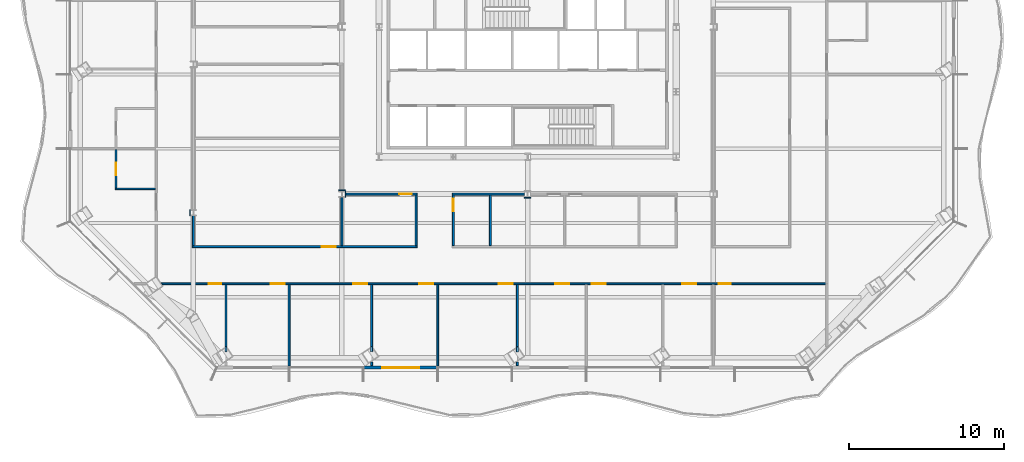
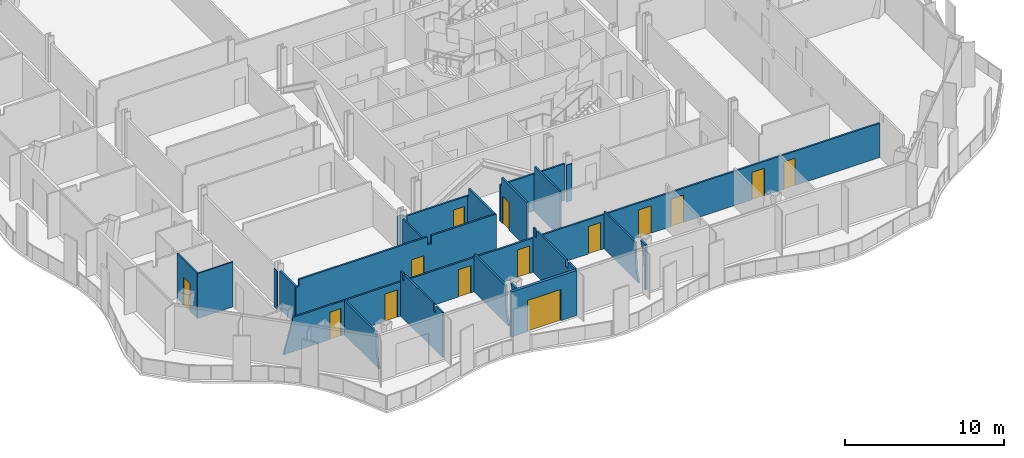
# One storey, part 7 of 21: 23 walls, 14 doors, 14 openings.
"""IFC4 building model written with IfcOpenShell, lengths in metres."""

from ifc_helpers import new_model, si_unit, direction, frame, frame_2d, origin, place, context, subcontext, project, spatial, polyline, rectangle, outline, extrude, material, layer, layer_set, type_object, element, fill, save


model = new_model("IFC4")

# Units and contexts
model_context = context("Model", 3, precision=1e-05, world=origin(), true_north=direction((0.0, 1.0)))
body_context = subcontext(model_context, "Body", "Model", "MODEL_VIEW")
ifc_project = project(units=[si_unit("LENGTHUNIT", "METRE"), si_unit("AREAUNIT", "SQUARE_METRE"), si_unit("VOLUMEUNIT", "CUBIC_METRE"), si_unit("PLANEANGLEUNIT", "RADIAN"), si_unit("MASSUNIT", "GRAM", prefix="KILO")], contexts=[model_context])

# Site, building, storey
site_placement = place(None, origin())
site = spatial("IfcSite", under=ifc_project, at=site_placement, CompositionType="ELEMENT")
building_placement = place(site_placement, origin())
building = spatial("IfcBuilding", under=site, at=building_placement, Name="Cairn Pilgrim Tower", CompositionType="ELEMENT")
storey_placement = place(building_placement, frame((0.0, 0.0, 108.60009765625)))
storey = spatial("IfcBuildingStorey", under=building, at=storey_placement, Name="L26", CompositionType="ELEMENT", Elevation=108.60009765625)

# Wall, opening, door
ifc_material_1 = material(Name="Bronze anodised aluminium insulated sandwich panel with mineral wool fill", Category="aluminium")
ifc_layer_1 = layer(ifc_material_1, 0.199951171875)
ifc_layer_set_1 = layer_set([ifc_layer_1], Name="BRONZE INFILL FRAME WALL 200")
wall_type_1 = type_object("IfcWallType", Name="BRONZE INFILL FRAME WALL 200", PredefinedType="NOTDEFINED", material=ifc_layer_set_1)
wall_1_placement = place(storey_placement, frame((-3.37841796875, -19.622314453125, 0.0), z_axis=(0.0, 0.0, 1.0), x_axis=(1.0, 0.0, 0.0)))
wall_1 = element("IfcWall", 1, at=wall_1_placement, inside=storey, type_object=wall_type_1, Name="Bronze infill frame wall IW-S3", PredefinedType="NOTDEFINED", context=body_context, shape_type="SweptSolid", body=[
    extrude(rectangle(XDim=4.739990234375, YDim=0.199951171875, at=frame_2d((2.3701171875, 0.0))), origin(), (0.0, 0.0, 1.0), 3.449951171875),
])
opening_1_placement = place(wall_1_placement, frame((1.17041015625, 0.0, 0.0)))
opening_1 = element("IfcOpeningElement", 2, at=opening_1_placement, cuts=wall_1, Name="Opening 2604B", PredefinedType="OPENING", context=body_context, shape_type="SweptSolid", body=[
    extrude(rectangle(XDim=2.39990234375, YDim=2.39990234375, at=frame_2d((1.199951171875, 1.199951171875))), frame((0.0, 0.10986328125, 0.0), z_axis=(0.0, -1.0, 0.0), x_axis=(1.0, 0.0, 0.0)), (0.0, 0.0, 1.0), 0.219970703125),
])
ifc_material_2 = material(Name="Bronze anodised aluminium frame with tinted low-E glass", Category="aluminium")
door_type_1 = type_object("IfcDoorType", Name="BALCONY SLIDING DOOR 2400x2400", OperationType="DOUBLE_DOOR_SLIDING", PredefinedType="DOOR", material=ifc_material_2)
door_1_placement = place(opening_1_placement, origin())
door_1 = element("IfcDoor", 3, at=door_1_placement, inside=storey, type_object=door_type_1, Name="Balcony sliding door 2604B", OperationType="SINGLE_SWING_LEFT", OverallHeight=2.39990234375, OverallWidth=2.39990234375, PredefinedType="DOOR", context=body_context, shape_type="SweptSolid", body=[
    extrude(rectangle(XDim=2.39990234375, YDim=2.39990234375, at=frame_2d((1.199951171875, 1.199951171875))), frame((0.0, 0.02490234375, 0.0), z_axis=(0.0, -1.0, 0.0), x_axis=(1.0, 0.0, 0.0)), (0.0, 0.0, 1.0), 0.050048828125),
])
fill(opening_1, door_1)

# Wall
ifc_material_3 = material(Name="Gypsum partition")
ifc_layer_2 = layer(ifc_material_3, 0.10009765625)
ifc_layer_set_2 = layer_set([ifc_layer_2], Name="PARTITION 100 DRYWALL")
wall_type_2 = type_object("IfcWallType", Name="PARTITION 100 DRYWALL", PredefinedType="PARTITIONING", material=ifc_layer_set_2)
wall_2_placement = place(storey_placement, frame((-19.449951171875, -8.072021484375, 0.0), z_axis=(0.0, 0.0, 1.0), x_axis=(1.0, 0.0, 0.0)))
element("IfcWall", 4, at=wall_2_placement, inside=storey, type_object=wall_type_2, Name="PARTITION W037", PredefinedType="PARTITIONING", context=body_context, shape_type="SweptSolid", body=[
    extrude(rectangle(XDim=2.58740234375, YDim=0.10009765625, at=frame_2d((1.293701171875, 0.0))), origin(), (0.0, 0.0, 1.0), 3.449951171875),
])

# Wall, opening, door
wall_3_placement = place(storey_placement, frame((-19.39990234375, -8.02197265625, 0.0), z_axis=(0.0, 0.0, 1.0), x_axis=(0.0, 1.0, 0.0)))
wall_3 = element("IfcWall", 5, at=wall_3_placement, inside=storey, type_object=wall_type_2, Name="PARTITION W038", PredefinedType="PARTITIONING", context=body_context, shape_type="SweptSolid", body=[
    extrude(rectangle(XDim=2.487548828125, YDim=0.10009765625, at=frame_2d((1.24365234375, 0.0))), origin(), (0.0, 0.0, 1.0), 3.449951171875),
])
opening_2_placement = place(wall_3_placement, frame((0.85009765625, 0.0, 0.0)))
opening_2 = element("IfcOpeningElement", 6, at=opening_2_placement, cuts=wall_3, Name="Opening 2609E", PredefinedType="OPENING", context=body_context, shape_type="SweptSolid", body=[
    extrude(rectangle(XDim=0.800048828125, YDim=2.10009765625, at=frame_2d((0.39990234375, 1.050048828125))), frame((0.0, 0.06005859375, 0.0), z_axis=(0.0, -1.0, 0.0), x_axis=(1.0, 0.0, 0.0)), (0.0, 0.0, 1.0), 0.1201171875),
])
ifc_material_4 = material(Name="Timber door leaf", Category="wood")
door_type_2 = type_object("IfcDoorType", Name="DOOR 800x2100", OperationType="NOTDEFINED", PredefinedType="DOOR", material=ifc_material_4)
door_2_placement = place(opening_2_placement, frame((0.800048828125, 0.0, 0.0), z_axis=(0.0, 0.0, 1.0), x_axis=(-1.0, 0.0, 0.0)))
door_2 = element("IfcDoor", 7, at=door_2_placement, inside=storey, type_object=door_type_2, Name="DOOR 2609E", OperationType="SINGLE_SWING_LEFT", OverallHeight=2.10009765625, OverallWidth=0.800048828125, PredefinedType="DOOR", context=body_context, shape_type="SweptSolid", body=[
    extrude(rectangle(XDim=0.800048828125, YDim=2.10009765625, at=frame_2d((0.39990234375, 1.050048828125))), frame((0.0, 0.02490234375, 0.0), z_axis=(0.0, -1.0, 0.0), x_axis=(1.0, 0.0, 0.0)), (0.0, 0.0, 1.0), 0.050048828125),
])
fill(opening_2, door_2)

# Walls
ifc_layer_3 = layer(ifc_material_3, 0.125)
ifc_layer_set_3 = layer_set([ifc_layer_3], Name="PARTITION 125 DRYWALL EI 60")
wall_type_3 = type_object("IfcWallType", Name="PARTITION 125 DRYWALL EI 60", PredefinedType="PARTITIONING", material=ifc_layer_set_3)
wall_4_placement = place(storey_placement, frame((-8.2080078125, -19.522216796875, 0.0), z_axis=(0.0, 0.0, 1.0), x_axis=(0.0, 1.0, 0.0)))
element("IfcWall", 8, at=wall_4_placement, inside=storey, type_object=wall_type_3, Name="PARTITION W002", PredefinedType="PARTITIONING", context=body_context, shape_type="SweptSolid", body=[
    extrude(outline(polyline([(0.0, 0.0), (5.259765625, 0.0), (5.259765625, 3.449951171875), (5.008544921875, 3.449951171875), (5.006591796875, 2.929931640625), (4.80859375, 2.929931640625), (4.806640625, 3.449951171875), (1.15869140625, 3.449951171875), (1.156494140625, 2.929931640625), (0.858642578125, 2.929931640625), (0.856689453125, 3.449951171875), (0.0, 3.449951171875), (0.0, 0.0)])), frame((0.0, 0.0625, 0.0), z_axis=(0.0, -1.0, 0.0), x_axis=(1.0, 0.0, 0.0)), (0.0, 0.0, 1.0), 0.125),
])
wall_5_placement = place(storey_placement, frame((-2.8779296875, -19.4921875, 0.0), z_axis=(0.0, 0.0, 1.0), x_axis=(0.0, 1.0, 0.0)))
element("IfcWall", 9, at=wall_5_placement, inside=storey, type_object=wall_type_3, Name="PARTITION W003", PredefinedType="PARTITIONING", context=body_context, shape_type="SweptSolid", body=[
    extrude(outline(polyline([(0.0, 0.0), (0.226806640625, 0.0), (0.226806640625, 0.8623046875), (0.226806640625, 1.724853515625), (0.30810546875, 2.58740234375), (0.660888671875, 3.449951171875), (0.0, 3.449951171875), (0.0, 2.58740234375), (0.0, 1.724853515625), (0.0, 0.8623046875), (0.0, 0.0)])), frame((0.0, 0.0625, 0.0), z_axis=(0.0, -1.0, 0.0), x_axis=(1.0, 0.0, 0.0)), (0.0, 0.0, 1.0), 0.125),
])
wall_6_placement = place(storey_placement, frame((1.39208984375, -19.522216796875, 0.0), z_axis=(0.0, 0.0, 1.0), x_axis=(0.0, 1.0, 0.0)))
element("IfcWall", 10, at=wall_6_placement, inside=storey, type_object=wall_type_3, Name="PARTITION W004", PredefinedType="PARTITIONING", context=body_context, shape_type="SweptSolid", body=[
    extrude(outline(polyline([(0.0, 0.0), (5.259765625, 0.0), (5.259765625, 3.449951171875), (5.013671875, 3.449951171875), (5.01171875, 2.8798828125), (4.8037109375, 2.8798828125), (4.801513671875, 3.449951171875), (1.15869140625, 3.449951171875), (1.156494140625, 2.929931640625), (0.858642578125, 2.929931640625), (0.856689453125, 3.449951171875), (0.0, 3.449951171875), (0.0, 0.0)])), frame((0.0, 0.0625, 0.0), z_axis=(0.0, -1.0, 0.0), x_axis=(1.0, 0.0, 0.0)), (0.0, 0.0, 1.0), 0.125),
])
wall_7_placement = place(storey_placement, frame((6.535888671875, -19.4921875, 0.0), z_axis=(0.0, 0.0, 1.0), x_axis=(0.0, 1.0, 0.0)))
element("IfcWall", 11, at=wall_7_placement, inside=storey, type_object=wall_type_3, Name="PARTITION W005", PredefinedType="PARTITIONING", context=body_context, shape_type="SweptSolid", body=[
    extrude(outline(polyline([(0.0, 0.0), (0.227294921875, 0.0), (0.227294921875, 0.8623046875), (0.227294921875, 1.724853515625), (0.30810546875, 2.58740234375), (0.66015625, 3.449951171875), (0.0, 3.449951171875), (0.0, 2.58740234375), (0.0, 1.724853515625), (0.0, 0.8623046875), (0.0, 0.0)])), frame((0.0, 0.0625, 0.0), z_axis=(0.0, -1.0, 0.0), x_axis=(1.0, 0.0, 0.0)), (0.0, 0.0, 1.0), 0.125),
])
wall_8_placement = place(storey_placement, frame((-12.2919921875, -18.592041015625, 0.0), z_axis=(0.0, 0.0, 1.0), x_axis=(0.0, 1.0, 0.0)))
element("IfcWall", 12, at=wall_8_placement, inside=storey, type_object=wall_type_3, Name="PARTITION W009", PredefinedType="PARTITIONING", context=body_context, shape_type="SweptSolid", body=[
    extrude(outline(polyline([(0.0, 0.0), (4.32958984375, 0.0), (4.32958984375, 0.8623046875), (4.32958984375, 1.724853515625), (4.32958984375, 2.58740234375), (4.32958984375, 2.6298828125), (0.37109375, 2.6298828125), (0.37109375, 2.58740234375), (0.37109375, 1.724853515625), (0.30908203125, 0.8623046875), (0.0, 0.0)])), frame((0.0, 0.0625, 0.0), z_axis=(0.0, -1.0, 0.0), x_axis=(1.0, 0.0, 0.0)), (0.0, 0.0, 1.0), 0.125),
])
wall_9_placement = place(storey_placement, frame((-2.8779296875, -18.592529296875, 0.0), z_axis=(0.0, 0.0, 1.0), x_axis=(0.0, 1.0, 0.0)))
element("IfcWall", 13, at=wall_9_placement, inside=storey, type_object=wall_type_3, Name="PARTITION W010", PredefinedType="PARTITIONING", context=body_context, shape_type="SweptSolid", body=[
    extrude(outline(polyline([(0.0, 0.0), (4.330078125, 0.0), (4.330078125, 0.8623046875), (4.330078125, 1.724853515625), (4.330078125, 2.58740234375), (4.330078125, 2.8798828125), (0.3720703125, 2.8798828125), (0.3720703125, 2.58740234375), (0.3720703125, 1.724853515625), (0.309814453125, 0.8623046875), (0.0, 0.0)])), frame((0.0, 0.0625, 0.0), z_axis=(0.0, -1.0, 0.0), x_axis=(1.0, 0.0, 0.0)), (0.0, 0.0, 1.0), 0.125),
])
wall_10_placement = place(storey_placement, frame((6.535888671875, -18.59326171875, 0.0), z_axis=(0.0, 0.0, 1.0), x_axis=(0.0, 1.0, 0.0)))
element("IfcWall", 14, at=wall_10_placement, inside=storey, type_object=wall_type_3, Name="PARTITION W011", PredefinedType="PARTITIONING", context=body_context, shape_type="SweptSolid", body=[
    extrude(outline(polyline([(0.0, 0.0), (4.330810546875, 0.0), (4.330810546875, 0.8623046875), (4.330810546875, 1.724853515625), (4.330810546875, 2.58740234375), (4.330810546875, 2.8798828125), (0.372802734375, 2.8798828125), (0.372802734375, 2.58740234375), (0.372802734375, 1.724853515625), (0.310302734375, 0.8623046875), (0.0, 0.0)])), frame((0.0, 0.0625, 0.0), z_axis=(0.0, -1.0, 0.0), x_axis=(1.0, 0.0, 0.0)), (0.0, 0.0, 1.0), 0.125),
])

# Wall, openings, doors
wall_11_placement = place(storey_placement, frame((-16.7529296875, -14.199951171875, 0.0), z_axis=(0.0, 0.0, 1.0), x_axis=(1.0, 0.0, 0.0)))
wall_11 = element("IfcWall", 15, at=wall_11_placement, inside=storey, type_object=wall_type_3, Name="PARTITION W015", PredefinedType="PARTITIONING", context=body_context, shape_type="SweptSolid", body=[
    extrude(outline(polyline([(0.0, 0.0), (43.232421875, 0.0), (43.232421875, 0.8623046875), (43.232421875, 1.724853515625), (43.232421875, 2.58740234375), (43.232421875, 2.6298828125), (0.67138671875, 2.6298828125), (0.66748046875, 2.58740234375), (0.47607421875, 1.724853515625), (0.238037109375, 0.8623046875), (0.0, 0.0)])), frame((0.0, 0.0625, 0.0), z_axis=(0.0, -1.0, 0.0), x_axis=(1.0, 0.0, 0.0)), (0.0, 0.0, 1.0), 0.125),
])
opening_3_placement = place(wall_11_placement, frame((3.36083984375, 0.0, 0.0)))
opening_3 = element("IfcOpeningElement", 16, at=opening_3_placement, cuts=wall_11, Name="Opening 2601", PredefinedType="OPENING", context=body_context, shape_type="SweptSolid", body=[
    extrude(rectangle(XDim=0.800048828125, YDim=2.10009765625, at=frame_2d((0.39990234375, 1.050048828125))), frame((0.0, 0.072509765625, 0.0), z_axis=(0.0, -1.0, 0.0), x_axis=(1.0, 0.0, 0.0)), (0.0, 0.0, 1.0), 0.14501953125),
])
opening_4_placement = place(wall_11_placement, frame((7.344970703125, 0.0, 0.0)))
opening_4 = element("IfcOpeningElement", 17, at=opening_4_placement, cuts=wall_11, Name="Opening 2602", PredefinedType="OPENING", context=body_context, shape_type="SweptSolid", body=[
    extrude(rectangle(XDim=0.89990234375, YDim=2.10009765625, at=frame_2d((0.449951171875, 1.050048828125))), frame((0.0, 0.072509765625, 0.0), z_axis=(0.0, -1.0, 0.0), x_axis=(1.0, 0.0, 0.0)), (0.0, 0.0, 1.0), 0.14501953125),
])
opening_5_placement = place(wall_11_placement, frame((12.6748046875, 0.0, 0.0)))
opening_5 = element("IfcOpeningElement", 18, at=opening_5_placement, cuts=wall_11, Name="Opening 2603", PredefinedType="OPENING", context=body_context, shape_type="SweptSolid", body=[
    extrude(rectangle(XDim=0.89990234375, YDim=2.10009765625, at=frame_2d((0.449951171875, 1.050048828125))), frame((0.0, 0.072509765625, 0.0), z_axis=(0.0, -1.0, 0.0), x_axis=(1.0, 0.0, 0.0)), (0.0, 0.0, 1.0), 0.14501953125),
])
opening_6_placement = place(wall_11_placement, frame((16.94482421875, 0.0, 0.0)))
opening_6 = element("IfcOpeningElement", 19, at=opening_6_placement, cuts=wall_11, Name="Opening 2604", PredefinedType="OPENING", context=body_context, shape_type="SweptSolid", body=[
    extrude(rectangle(XDim=0.89990234375, YDim=2.10009765625, at=frame_2d((0.449951171875, 1.050048828125))), frame((0.0, 0.072509765625, 0.0), z_axis=(0.0, -1.0, 0.0), x_axis=(1.0, 0.0, 0.0)), (0.0, 0.0, 1.0), 0.14501953125),
])
opening_7_placement = place(wall_11_placement, frame((22.0888671875, 0.0, 0.0)))
opening_7 = element("IfcOpeningElement", 20, at=opening_7_placement, cuts=wall_11, Name="Opening 2605", PredefinedType="OPENING", context=body_context, shape_type="SweptSolid", body=[
    extrude(rectangle(XDim=0.89990234375, YDim=2.10009765625, at=frame_2d((0.449951171875, 1.050048828125))), frame((0.0, 0.072509765625, 0.0), z_axis=(0.0, -1.0, 0.0), x_axis=(1.0, 0.0, 0.0)), (0.0, 0.0, 1.0), 0.14501953125),
])
opening_8_placement = place(wall_11_placement, frame((25.744873046875, 0.0, 0.0)))
opening_8 = element("IfcOpeningElement", 21, at=opening_8_placement, cuts=wall_11, Name="Opening 2606", PredefinedType="OPENING", context=body_context, shape_type="SweptSolid", body=[
    extrude(rectangle(XDim=0.89990234375, YDim=2.10009765625, at=frame_2d((0.449951171875, 1.050048828125))), frame((0.0, 0.072509765625, 0.0), z_axis=(0.0, -1.0, 0.0), x_axis=(1.0, 0.0, 0.0)), (0.0, 0.0, 1.0), 0.14501953125),
])
opening_9_placement = place(wall_11_placement, frame((28.101806640625, 0.0, 0.0)))
opening_9 = element("IfcOpeningElement", 22, at=opening_9_placement, cuts=wall_11, Name="Opening 2607", PredefinedType="OPENING", context=body_context, shape_type="SweptSolid", body=[
    extrude(rectangle(XDim=0.89990234375, YDim=2.10009765625, at=frame_2d((0.449951171875, 1.050048828125))), frame((0.0, 0.072509765625, 0.0), z_axis=(0.0, -1.0, 0.0), x_axis=(1.0, 0.0, 0.0)), (0.0, 0.0, 1.0), 0.14501953125),
])
opening_10_placement = place(wall_11_placement, frame((33.952880859375, 0.0, 0.0)))
opening_10 = element("IfcOpeningElement", 23, at=opening_10_placement, cuts=wall_11, Name="Opening 2608", PredefinedType="OPENING", context=body_context, shape_type="SweptSolid", body=[
    extrude(rectangle(XDim=0.89990234375, YDim=2.10009765625, at=frame_2d((0.449951171875, 1.050048828125))), frame((0.0, 0.072509765625, 0.0), z_axis=(0.0, -1.0, 0.0), x_axis=(1.0, 0.0, 0.0)), (0.0, 0.0, 1.0), 0.14501953125),
])
opening_11_placement = place(wall_11_placement, frame((36.294921875, 0.0, 0.0)))
opening_11 = element("IfcOpeningElement", 24, at=opening_11_placement, cuts=wall_11, Name="Opening 2626", PredefinedType="OPENING", context=body_context, shape_type="SweptSolid", body=[
    extrude(rectangle(XDim=0.800048828125, YDim=2.10009765625, at=frame_2d((0.39990234375, 1.050048828125))), frame((0.0, 0.072509765625, 0.0), z_axis=(0.0, -1.0, 0.0), x_axis=(1.0, 0.0, 0.0)), (0.0, 0.0, 1.0), 0.14501953125),
])
ifc_material_5 = material(Name="Steel-faced fire door leaf", Category="steel")
door_type_3 = type_object("IfcDoorType", Name="FIRE DOOR 800x2100 FD30S", OperationType="NOTDEFINED", PredefinedType="DOOR", material=ifc_material_5)
door_3_placement = place(opening_3_placement, frame((0.800048828125, 0.0, 0.0), z_axis=(0.0, 0.0, 1.0), x_axis=(-1.0, 0.0, 0.0)))
door_3 = element("IfcDoor", 25, at=door_3_placement, inside=storey, type_object=door_type_3, Name="DOOR 2601", OperationType="SINGLE_SWING_RIGHT", OverallHeight=2.10009765625, OverallWidth=0.800048828125, PredefinedType="DOOR", context=body_context, shape_type="SweptSolid", body=[
    extrude(rectangle(XDim=0.800048828125, YDim=2.10009765625, at=frame_2d((0.39990234375, 1.050048828125))), frame((0.0, 0.02490234375, 0.0), z_axis=(0.0, -1.0, 0.0), x_axis=(1.0, 0.0, 0.0)), (0.0, 0.0, 1.0), 0.050048828125),
])
fill(opening_3, door_3)
door_4_placement = place(opening_11_placement, frame((0.800048828125, 0.0, 0.0), z_axis=(0.0, 0.0, 1.0), x_axis=(-1.0, 0.0, 0.0)))
door_4 = element("IfcDoor", 26, at=door_4_placement, inside=storey, type_object=door_type_3, Name="DOOR 2626", OperationType="SINGLE_SWING_RIGHT", OverallHeight=2.10009765625, OverallWidth=0.800048828125, PredefinedType="DOOR", context=body_context, shape_type="SweptSolid", body=[
    extrude(rectangle(XDim=0.800048828125, YDim=2.10009765625, at=frame_2d((0.39990234375, 1.050048828125))), frame((0.0, 0.02490234375, 0.0), z_axis=(0.0, -1.0, 0.0), x_axis=(1.0, 0.0, 0.0)), (0.0, 0.0, 1.0), 0.050048828125),
])
fill(opening_11, door_4)
door_type_4 = type_object("IfcDoorType", Name="FIRE DOOR 900x2100 FD30S", OperationType="NOTDEFINED", PredefinedType="DOOR", material=ifc_material_5)
door_5_placement = place(opening_4_placement, frame((0.89990234375, 0.0, 0.0), z_axis=(0.0, 0.0, 1.0), x_axis=(-1.0, 0.0, 0.0)))
door_5 = element("IfcDoor", 27, at=door_5_placement, inside=storey, type_object=door_type_4, Name="DOOR 2602", OperationType="SINGLE_SWING_LEFT", OverallHeight=2.10009765625, OverallWidth=0.89990234375, PredefinedType="DOOR", context=body_context, shape_type="SweptSolid", body=[
    extrude(rectangle(XDim=0.89990234375, YDim=2.10009765625, at=frame_2d((0.449951171875, 1.050048828125))), frame((0.0, 0.02490234375, 0.0), z_axis=(0.0, -1.0, 0.0), x_axis=(1.0, 0.0, 0.0)), (0.0, 0.0, 1.0), 0.050048828125),
])
fill(opening_4, door_5)
door_6_placement = place(opening_5_placement, frame((0.89990234375, 0.0, 0.0), z_axis=(0.0, 0.0, 1.0), x_axis=(-1.0, 0.0, 0.0)))
door_6 = element("IfcDoor", 28, at=door_6_placement, inside=storey, type_object=door_type_4, Name="DOOR 2603", OperationType="SINGLE_SWING_RIGHT", OverallHeight=2.10009765625, OverallWidth=0.89990234375, PredefinedType="DOOR", context=body_context, shape_type="SweptSolid", body=[
    extrude(rectangle(XDim=0.89990234375, YDim=2.10009765625, at=frame_2d((0.449951171875, 1.050048828125))), frame((0.0, 0.02490234375, 0.0), z_axis=(0.0, -1.0, 0.0), x_axis=(1.0, 0.0, 0.0)), (0.0, 0.0, 1.0), 0.050048828125),
])
fill(opening_5, door_6)
door_7_placement = place(opening_6_placement, frame((0.89990234375, 0.0, 0.0), z_axis=(0.0, 0.0, 1.0), x_axis=(-1.0, 0.0, 0.0)))
door_7 = element("IfcDoor", 29, at=door_7_placement, inside=storey, type_object=door_type_4, Name="DOOR 2604", OperationType="SINGLE_SWING_LEFT", OverallHeight=2.10009765625, OverallWidth=0.89990234375, PredefinedType="DOOR", context=body_context, shape_type="SweptSolid", body=[
    extrude(rectangle(XDim=0.89990234375, YDim=2.10009765625, at=frame_2d((0.449951171875, 1.050048828125))), frame((0.0, 0.02490234375, 0.0), z_axis=(0.0, -1.0, 0.0), x_axis=(1.0, 0.0, 0.0)), (0.0, 0.0, 1.0), 0.050048828125),
])
fill(opening_6, door_7)
door_8_placement = place(opening_7_placement, frame((0.89990234375, 0.0, 0.0), z_axis=(0.0, 0.0, 1.0), x_axis=(-1.0, 0.0, 0.0)))
door_8 = element("IfcDoor", 30, at=door_8_placement, inside=storey, type_object=door_type_4, Name="DOOR 2605", OperationType="SINGLE_SWING_RIGHT", OverallHeight=2.10009765625, OverallWidth=0.89990234375, PredefinedType="DOOR", context=body_context, shape_type="SweptSolid", body=[
    extrude(rectangle(XDim=0.89990234375, YDim=2.10009765625, at=frame_2d((0.449951171875, 1.050048828125))), frame((0.0, 0.02490234375, 0.0), z_axis=(0.0, -1.0, 0.0), x_axis=(1.0, 0.0, 0.0)), (0.0, 0.0, 1.0), 0.050048828125),
])
fill(opening_7, door_8)
door_9_placement = place(opening_8_placement, frame((0.89990234375, 0.0, 0.0), z_axis=(0.0, 0.0, 1.0), x_axis=(-1.0, 0.0, 0.0)))
door_9 = element("IfcDoor", 31, at=door_9_placement, inside=storey, type_object=door_type_4, Name="DOOR 2606", OperationType="SINGLE_SWING_LEFT", OverallHeight=2.10009765625, OverallWidth=0.89990234375, PredefinedType="DOOR", context=body_context, shape_type="SweptSolid", body=[
    extrude(rectangle(XDim=0.89990234375, YDim=2.10009765625, at=frame_2d((0.449951171875, 1.050048828125))), frame((0.0, 0.02490234375, 0.0), z_axis=(0.0, -1.0, 0.0), x_axis=(1.0, 0.0, 0.0)), (0.0, 0.0, 1.0), 0.050048828125),
])
fill(opening_8, door_9)
door_10_placement = place(opening_9_placement, frame((0.89990234375, 0.0, 0.0), z_axis=(0.0, 0.0, 1.0), x_axis=(-1.0, 0.0, 0.0)))
door_10 = element("IfcDoor", 32, at=door_10_placement, inside=storey, type_object=door_type_4, Name="DOOR 2607", OperationType="SINGLE_SWING_RIGHT", OverallHeight=2.10009765625, OverallWidth=0.89990234375, PredefinedType="DOOR", context=body_context, shape_type="SweptSolid", body=[
    extrude(rectangle(XDim=0.89990234375, YDim=2.10009765625, at=frame_2d((0.449951171875, 1.050048828125))), frame((0.0, 0.02490234375, 0.0), z_axis=(0.0, -1.0, 0.0), x_axis=(1.0, 0.0, 0.0)), (0.0, 0.0, 1.0), 0.050048828125),
])
fill(opening_9, door_10)
door_11_placement = place(opening_10_placement, frame((0.89990234375, 0.0, 0.0), z_axis=(0.0, 0.0, 1.0), x_axis=(-1.0, 0.0, 0.0)))
door_11 = element("IfcDoor", 33, at=door_11_placement, inside=storey, type_object=door_type_4, Name="DOOR 2608", OperationType="SINGLE_SWING_LEFT", OverallHeight=2.10009765625, OverallWidth=0.89990234375, PredefinedType="DOOR", context=body_context, shape_type="SweptSolid", body=[
    extrude(rectangle(XDim=0.89990234375, YDim=2.10009765625, at=frame_2d((0.449951171875, 1.050048828125))), frame((0.0, 0.02490234375, 0.0), z_axis=(0.0, -1.0, 0.0), x_axis=(1.0, 0.0, 0.0)), (0.0, 0.0, 1.0), 0.050048828125),
])
fill(opening_10, door_11)

# Wall, opening, door
wall_12_placement = place(storey_placement, frame((-14.46240234375, -11.800048828125, 0.0), z_axis=(0.0, 0.0, 1.0), x_axis=(1.0, 0.0, 0.0)))
wall_12 = element("IfcWall", 34, at=wall_12_placement, inside=storey, type_object=wall_type_3, Name="PARTITION W018", PredefinedType="PARTITIONING", context=body_context, shape_type="SweptSolid", body=[
    extrude(outline(polyline([(0.0, 0.0), (14.52490234375, 0.0), (14.52490234375, 3.449951171875), (9.8125, 3.449951171875), (9.810546875, 2.829833984375), (9.512451171875, 2.829833984375), (9.510498046875, 3.449951171875), (0.21240234375, 3.449951171875), (0.21044921875, 2.929931640625), (0.0, 2.929931640625), (0.0, 0.0)])), frame((0.0, 0.0625, 0.0), z_axis=(0.0, -1.0, 0.0), x_axis=(1.0, 0.0, 0.0)), (0.0, 0.0, 1.0), 0.125),
])
opening_12_placement = place(wall_12_placement, frame((8.362548828125, 0.0, 0.0)))
opening_12 = element("IfcOpeningElement", 35, at=opening_12_placement, cuts=wall_12, Name="Opening 2627", PredefinedType="OPENING", context=body_context, shape_type="SweptSolid", body=[
    extrude(rectangle(XDim=0.89990234375, YDim=2.10009765625, at=frame_2d((0.449951171875, 1.050048828125))), frame((0.0, 0.072509765625, 0.0), z_axis=(0.0, -1.0, 0.0), x_axis=(1.0, 0.0, 0.0)), (0.0, 0.0, 1.0), 0.14501953125),
])
door_12_placement = place(opening_12_placement, origin())
door_12 = element("IfcDoor", 36, at=door_12_placement, inside=storey, type_object=door_type_4, Name="DOOR 2627", OperationType="SINGLE_SWING_LEFT", OverallHeight=2.10009765625, OverallWidth=0.89990234375, PredefinedType="DOOR", context=body_context, shape_type="SweptSolid", body=[
    extrude(rectangle(XDim=0.89990234375, YDim=2.10009765625, at=frame_2d((0.449951171875, 1.050048828125))), frame((0.0, 0.02490234375, 0.0), z_axis=(0.0, -1.0, 0.0), x_axis=(1.0, 0.0, 0.0)), (0.0, 0.0, 1.0), 0.050048828125),
])
fill(opening_12, door_12)

# Walls
wall_13_placement = place(storey_placement, frame((-14.39990234375, -11.737548828125, 0.0), z_axis=(0.0, 0.0, 1.0), x_axis=(0.0, 1.0, 0.0)))
element("IfcWall", 37, at=wall_13_placement, inside=storey, type_object=wall_type_3, Name="PARTITION W021", PredefinedType="PARTITIONING", context=body_context, shape_type="SweptSolid", body=[
    extrude(rectangle(XDim=1.941162109375, YDim=0.125, at=frame_2d((0.970703125, 0.0))), origin(), (0.0, 0.0, 1.0), 2.929931640625),
])
wall_14_placement = place(storey_placement, frame((-4.800048828125, -11.737548828125, 0.0), z_axis=(0.0, 0.0, 1.0), x_axis=(0.0, 1.0, 0.0)))
element("IfcWall", 38, at=wall_14_placement, inside=storey, type_object=wall_type_3, Name="PARTITION W022", PredefinedType="PARTITIONING", context=body_context, shape_type="SweptSolid", body=[
    extrude(rectangle(XDim=3.125, YDim=0.125, at=frame_2d((1.5625, 0.0))), origin(), (0.0, 0.0, 1.0), 2.829833984375),
])
wall_15_placement = place(storey_placement, frame((0.0, -11.737548828125, 0.0), z_axis=(0.0, 0.0, 1.0), x_axis=(0.0, 1.0, 0.0)))
element("IfcWall", 39, at=wall_15_placement, inside=storey, type_object=wall_type_3, Name="PARTITION W023", PredefinedType="PARTITIONING", context=body_context, shape_type="SweptSolid", body=[
    extrude(outline(polyline([(0.0, 0.0), (3.275146484375, 0.0), (3.27490234375, 2.829833984375), (3.1875, 2.829833984375), (3.185546875, 3.449951171875), (0.0, 3.449951171875), (0.0, 0.0)])), frame((0.0, 0.0625, 0.0), z_axis=(0.0, -1.0, 0.0), x_axis=(1.0, 0.0, 0.0)), (0.0, 0.0, 1.0), 0.125),
])

# Wall, opening, door
wall_16_placement = place(storey_placement, frame((2.39990234375, -11.737548828125, 0.0), z_axis=(0.0, 0.0, 1.0), x_axis=(0.0, 1.0, 0.0)))
wall_16 = element("IfcWall", 40, at=wall_16_placement, inside=storey, type_object=wall_type_3, Name="PARTITION W024", PredefinedType="PARTITIONING", context=body_context, shape_type="SweptSolid", body=[
    extrude(outline(polyline([(0.0, 0.0), (3.275146484375, 0.0), (3.27490234375, 2.829833984375), (3.1875, 2.829833984375), (3.185546875, 3.449951171875), (0.0, 3.449951171875), (0.0, 0.0)])), frame((0.0, 0.0625, 0.0), z_axis=(0.0, -1.0, 0.0), x_axis=(1.0, 0.0, 0.0)), (0.0, 0.0, 1.0), 0.125),
])
opening_13_placement = place(wall_16_placement, frame((2.237548828125, 0.0, 0.0)))
opening_13 = element("IfcOpeningElement", 41, at=opening_13_placement, cuts=wall_16, Name="Opening 2632", PredefinedType="OPENING", context=body_context, shape_type="SweptSolid", body=[
    extrude(rectangle(XDim=0.800048828125, YDim=2.10009765625, at=frame_2d((0.39990234375, 1.050048828125))), frame((0.0, 0.072509765625, 0.0), z_axis=(0.0, -1.0, 0.0), x_axis=(1.0, 0.0, 0.0)), (0.0, 0.0, 1.0), 0.14501953125),
])
door_13_placement = place(opening_13_placement, frame((0.800048828125, 0.0, 0.0), z_axis=(0.0, 0.0, 1.0), x_axis=(-1.0, 0.0, 0.0)))
door_13 = element("IfcDoor", 42, at=door_13_placement, inside=storey, type_object=door_type_3, Name="DOOR 2632", OperationType="SINGLE_SWING_RIGHT", OverallHeight=2.10009765625, OverallWidth=0.800048828125, PredefinedType="DOOR", context=body_context, shape_type="SweptSolid", body=[
    extrude(rectangle(XDim=0.800048828125, YDim=2.10009765625, at=frame_2d((0.39990234375, 1.050048828125))), frame((0.0, 0.02490234375, 0.0), z_axis=(0.0, -1.0, 0.0), x_axis=(1.0, 0.0, 0.0)), (0.0, 0.0, 1.0), 0.050048828125),
])
fill(opening_13, door_13)

# Wall
wall_17_placement = place(storey_placement, frame((4.800048828125, -11.737548828125, 0.0), z_axis=(0.0, 0.0, 1.0), x_axis=(0.0, 1.0, 0.0)))
element("IfcWall", 43, at=wall_17_placement, inside=storey, type_object=wall_type_3, Name="PARTITION W025", PredefinedType="PARTITIONING", context=body_context, shape_type="SweptSolid", body=[
    extrude(outline(polyline([(0.0, 0.0), (3.275146484375, 0.0), (3.27490234375, 2.829833984375), (3.1875, 2.829833984375), (3.185546875, 3.449951171875), (0.0, 3.449951171875), (0.0, 0.0)])), frame((0.0, 0.0625, 0.0), z_axis=(0.0, -1.0, 0.0), x_axis=(1.0, 0.0, 0.0)), (0.0, 0.0, 1.0), 0.125),
])

# Wall, opening, door
wall_18_placement = place(storey_placement, frame((-4.595458984375, -8.39990234375, 0.0), z_axis=(0.0, 0.0, 1.0), x_axis=(1.0, 0.0, 0.0)))
wall_18 = element("IfcWall", 44, at=wall_18_placement, inside=storey, type_object=wall_type_3, Name="PARTITION W032", PredefinedType="PARTITIONING", context=body_context, shape_type="SweptSolid", body=[
    extrude(rectangle(XDim=4.657958984375, YDim=0.125, at=frame_2d((2.3291015625, 0.0))), origin(), (0.0, 0.0, 1.0), 2.829833984375),
])
opening_14_placement = place(wall_18_placement, frame((3.49560546875, 0.0, 0.0)))
opening_14 = element("IfcOpeningElement", 45, at=opening_14_placement, cuts=wall_18, Name="Opening 2631", PredefinedType="OPENING", context=body_context, shape_type="SweptSolid", body=[
    extrude(rectangle(XDim=0.800048828125, YDim=2.10009765625, at=frame_2d((0.39990234375, 1.050048828125))), frame((0.0, 0.072509765625, 0.0), z_axis=(0.0, -1.0, 0.0), x_axis=(1.0, 0.0, 0.0)), (0.0, 0.0, 1.0), 0.14501953125),
])
door_14_placement = place(opening_14_placement, frame((0.800048828125, 0.0, 0.0), z_axis=(0.0, 0.0, 1.0), x_axis=(-1.0, 0.0, 0.0)))
door_14 = element("IfcDoor", 46, at=door_14_placement, inside=storey, type_object=door_type_3, Name="DOOR 2631", OperationType="SINGLE_SWING_LEFT", OverallHeight=2.10009765625, OverallWidth=0.800048828125, PredefinedType="DOOR", context=body_context, shape_type="SweptSolid", body=[
    extrude(rectangle(XDim=0.800048828125, YDim=2.10009765625, at=frame_2d((0.39990234375, 1.050048828125))), frame((0.0, 0.02490234375, 0.0), z_axis=(0.0, -1.0, 0.0), x_axis=(1.0, 0.0, 0.0)), (0.0, 0.0, 1.0), 0.050048828125),
])
fill(opening_14, door_14)

# Walls
wall_19_placement = place(storey_placement, frame((2.33740234375, -8.39990234375, 0.0), z_axis=(0.0, 0.0, 1.0), x_axis=(1.0, 0.0, 0.0)))
element("IfcWall", 47, at=wall_19_placement, inside=storey, type_object=wall_type_3, Name="PARTITION W033", PredefinedType="PARTITIONING", context=body_context, shape_type="SweptSolid", body=[
    extrude(rectangle(XDim=4.658203125, YDim=0.125, at=frame_2d((2.3291015625, 0.0))), origin(), (0.0, 0.0, 1.0), 2.829833984375),
])
ifc_layer_4 = layer(ifc_material_3, 0.050048828125)
ifc_layer_set_4 = layer_set([ifc_layer_4], Name="PARTITION 50 DRYWALL EI 60")
wall_type_4 = type_object("IfcWallType", Name="PARTITION 50 DRYWALL EI 60", PredefinedType="PARTITIONING", material=ifc_layer_set_4)
wall_20_placement = place(storey_placement, frame((-14.62451171875, -9.79638671875, 0.0), z_axis=(0.0, 0.0, 1.0), x_axis=(0.0, 1.0, 0.0)))
element("IfcWall", 48, at=wall_20_placement, inside=storey, type_object=wall_type_4, Name="COLUMN CASING WC01", PredefinedType="PARTITIONING", context=body_context, shape_type="SweptSolid", body=[
    extrude(rectangle(XDim=0.392822265625, YDim=0.050048828125, at=frame_2d((0.1962890625, 0.0))), origin(), (0.0, 0.0, 1.0), 2.97998046875),
])
wall_21_placement = place(storey_placement, frame((-4.570556640625, -8.612548828125, 0.0), z_axis=(0.0, 0.0, 1.0), x_axis=(0.0, 1.0, 0.0)))
element("IfcWall", 49, at=wall_21_placement, inside=storey, type_object=wall_type_4, Name="COLUMN CASING WC03", PredefinedType="PARTITIONING", context=body_context, shape_type="SweptSolid", body=[
    extrude(rectangle(XDim=0.425048828125, YDim=0.050048828125, at=frame_2d((0.21240234375, 0.0))), origin(), (0.0, 0.0, 1.0), 2.829833984375),
])
for number, where, z_axis, x_axis, name in (
    (50, (-5.00439453125, -8.16259765625, 0.0), (0.0, 0.0, 1.0), (1.0, 0.0, 0.0), "COLUMN CASING WC06"),
    (51, (6.99560546875, -8.637451171875, 0.0), (0.0, 0.0, 1.0), (1.0, 0.0, 0.0), "COLUMN CASING WC07"),
):
    element("IfcWall", number, at=place(storey_placement, frame(where, z_axis=z_axis, x_axis=x_axis)), inside=storey, type_object=wall_type_4, Name=name, PredefinedType="PARTITIONING", context=body_context, shape_type="SweptSolid", body=[
        extrude(rectangle(XDim=0.408935546875, YDim=0.050048828125, at=frame_2d((0.20458984375, 0.0))), origin(), (0.0, 0.0, 1.0), 2.829833984375),
    ])

save(model, "model.ifc")
